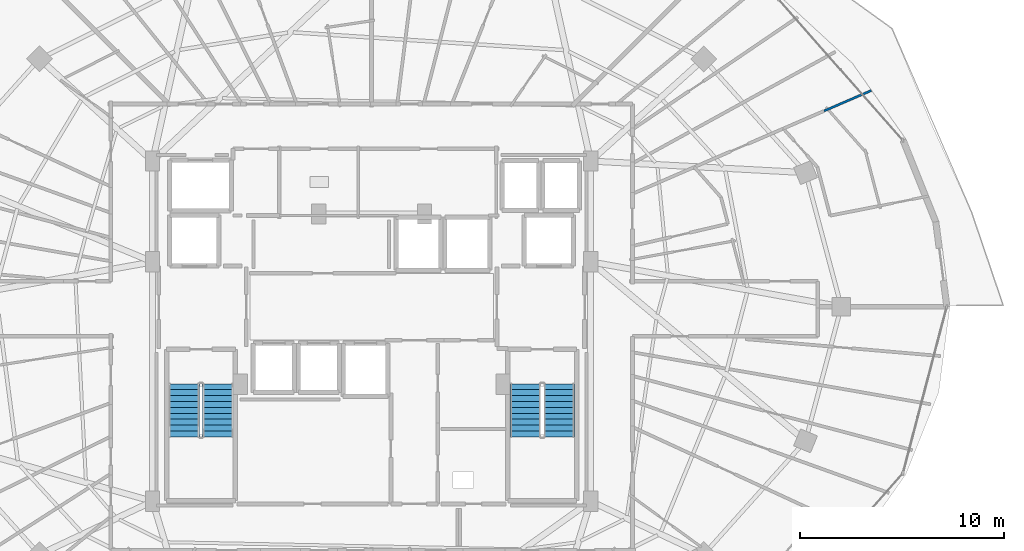
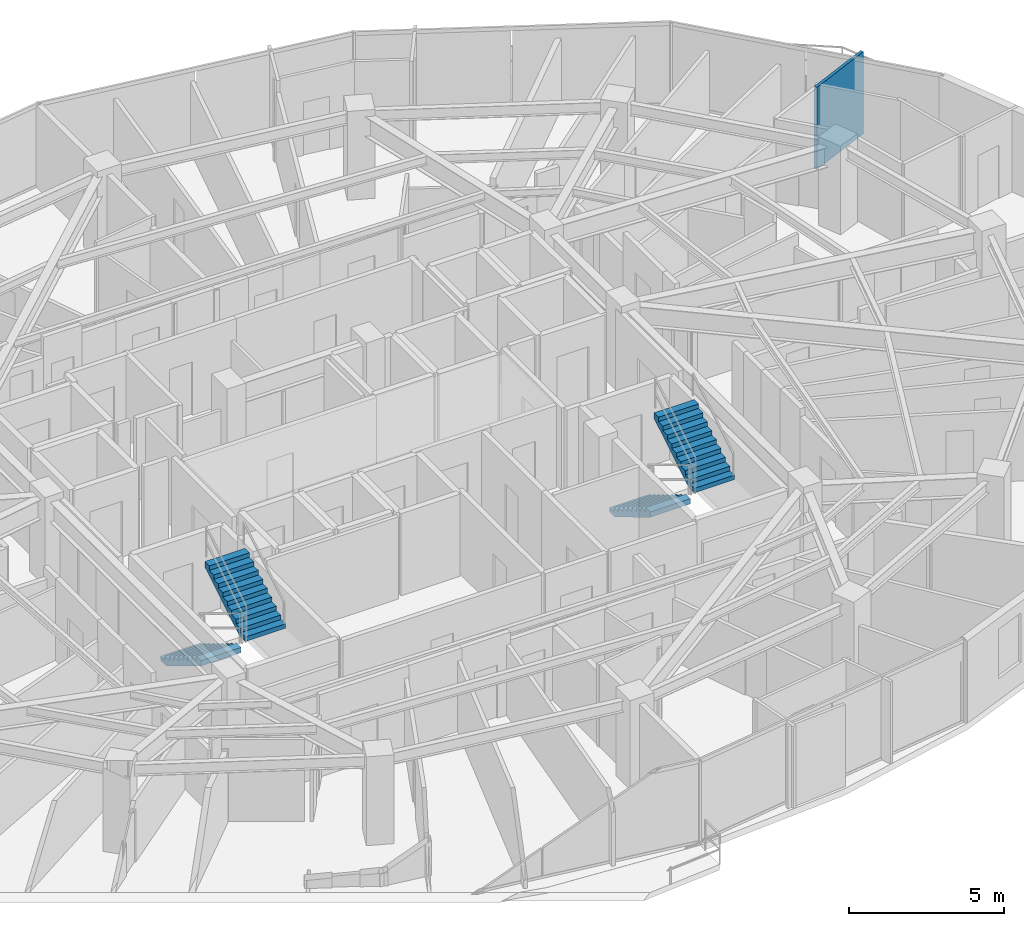
# One storey, part 30 of 33: 4 stair flights, 1 wall, 2 elements without a shape of their own.
"""IFC4 building model written with IfcOpenShell, lengths in metres."""

from ifc_helpers import new_model, si_unit, direction, frame, frame_2d, origin, place, context, subcontext, project, spatial, polyline, rectangle, outline, extrude, material, layer, layer_set, type_object, element, aggregate, save


model = new_model("IFC4")

# Units and contexts
model_context = context("Model", 3, precision=1e-05, world=origin(), true_north=direction((0.0, 1.0)))
body_context = subcontext(model_context, "Body", "Model", "MODEL_VIEW")
ifc_project = project(units=[si_unit("LENGTHUNIT", "METRE"), si_unit("AREAUNIT", "SQUARE_METRE"), si_unit("VOLUMEUNIT", "CUBIC_METRE"), si_unit("PLANEANGLEUNIT", "RADIAN"), si_unit("MASSUNIT", "GRAM", prefix="KILO")], contexts=[model_context])

# Site, building, storey
site_placement = place(None, origin())
site = spatial("IfcSite", under=ifc_project, at=site_placement, CompositionType="ELEMENT")
building_placement = place(site_placement, origin())
building = spatial("IfcBuilding", under=site, at=building_placement, Name="Vorneva Point Tower", CompositionType="ELEMENT")
storey_placement = place(building_placement, frame((0.0, 0.0, 179.10009765625)))
storey = spatial("IfcBuildingStorey", under=building, at=storey_placement, Name="L48", CompositionType="ELEMENT", Elevation=179.10009765625)

# Wall
ifc_material_1 = material(Name="Fire-rated acoustic gypsum stud partition", Category="gypsum")
ifc_layer = layer(ifc_material_1, 0.110107421875)
ifc_layer_set = layer_set([ifc_layer], Name="Fire-rated acoustic gypsum stud partition")
wall_type = type_object("IfcWallType", Name="WL-PART-110", PredefinedType="PARTITIONING", material=ifc_layer_set)
wall_placement = place(storey_placement, frame((60.20751953125, 35.609375, 0.0), z_axis=(0.0, 0.0, 1.0), x_axis=(0.917692098887, 0.397292350341, 0.0)))
element("IfcWall", 1, at=wall_placement, inside=storey, type_object=wall_type, Name="L48 Interior Partition 095", PredefinedType="PARTITIONING", context=body_context, shape_type="SweptSolid", body=[
    extrude(rectangle(XDim=2.5224609375, YDim=0.110107421875, at=frame_2d((1.26123046875, 0.0))), origin(), (0.0, 0.0, 1.0), 3.239990234375),
])

# Stair, stair flights
ifc_material_2 = material(Name="Concrete B50 (C40/50)", Category="concrete")
stair_type = type_object("IfcStairType", Name="ST-DOG-1500", PredefinedType="HALF_TURN_STAIR", material=ifc_material_2)
stair_1_placement = place(storey_placement, origin())
stair_1 = element("IfcStair", 2, at=stair_1_placement, inside=storey, type_object=stair_type, Name="L48 ST1", PredefinedType="HALF_TURN_STAIR")
stair_flight_type = type_object("IfcStairFlightType", Name="STF-1500", PredefinedType="STRAIGHT", material=ifc_material_2)
stair_flight_1_placement = place(storey_placement, frame((28.800048828125, 22.219970703125, 0.0), z_axis=(0.0, 0.0, 1.0), x_axis=(0.0, -1.0, 0.0)))
stair_flight_1 = element("IfcStairFlight", 3, at=stair_flight_1_placement, type_object=stair_flight_type, Name="ST1 flight 1", NumberOfRisers=10, NumberOfTreads=9, PredefinedType="STRAIGHT", RiserHeight=0.175, TreadLength=0.29, context=body_context, shape_type="SweptSolid", body=[
    extrude(outline(polyline([(0.0, 0.0), (0.0, 0.175048828125), (0.2900390625, 0.175048828125), (0.2900390625, 0.35009765625), (0.580078125, 0.35009765625), (0.580078125, 0.52490234375), (0.8701171875, 0.52490234375), (0.8701171875, 0.699951171875), (1.159912109375, 0.699951171875), (1.159912109375, 0.875), (1.449951171875, 0.875), (1.449951171875, 1.050048828125), (1.739990234375, 1.050048828125), (1.739990234375, 1.22509765625), (2.030029296875, 1.22509765625), (2.030029296875, 1.39990234375), (2.320068359375, 1.39990234375), (2.320068359375, 1.574951171875), (2.610107421875, 1.574951171875), (2.610107421875, 1.75), (2.610107421875, 1.36474609375), (0.34814453125, 0.0), (0.0, 0.0)])), frame((0.0, 0.75, 0.0), z_axis=(0.0, -1.0, 0.0), x_axis=(1.0, 0.0, 0.0)), (0.0, 0.0, 1.0), 1.5),
])
stair_flight_2_placement = place(storey_placement, frame((30.449951171875, 19.610107421875, 1.75), z_axis=(0.0, 0.0, 1.0), x_axis=(0.0, 1.0, 0.0)))
stair_flight_2 = element("IfcStairFlight", 4, at=stair_flight_2_placement, type_object=stair_flight_type, Name="ST1 flight 2", NumberOfRisers=10, NumberOfTreads=9, PredefinedType="STRAIGHT", RiserHeight=0.175, TreadLength=0.29, context=body_context, shape_type="SweptSolid", body=[
    extrude(outline(polyline([(0.0, 0.0), (0.0, 0.175048828125), (0.2900390625, 0.175048828125), (0.2900390625, 0.35009765625), (0.580078125, 0.35009765625), (0.580078125, 0.52490234375), (0.8701171875, 0.52490234375), (0.8701171875, 0.699951171875), (1.159912109375, 0.699951171875), (1.159912109375, 0.875), (1.449951171875, 0.875), (1.449951171875, 1.050048828125), (1.739990234375, 1.050048828125), (1.739990234375, 1.22509765625), (2.030029296875, 1.22509765625), (2.030029296875, 1.39990234375), (2.320068359375, 1.39990234375), (2.320068359375, 1.574951171875), (2.610107421875, 1.574951171875), (2.610107421875, 1.75), (2.610107421875, 1.36474609375), (0.34814453125, 0.0), (0.0, 0.0)])), frame((0.0, 0.75, 0.0), z_axis=(0.0, -1.0, 0.0), x_axis=(1.0, 0.0, 0.0)), (0.0, 0.0, 1.0), 1.5),
])
aggregate(stair_1, [stair_flight_1, stair_flight_2])

stair_2_placement = place(storey_placement, origin())
stair_2 = element("IfcStair", 5, at=stair_2_placement, inside=storey, type_object=stair_type, Name="L48 ST2", PredefinedType="HALF_TURN_STAIR")
stair_flight_3_placement = place(storey_placement, frame((45.550048828125, 22.219970703125, 0.0), z_axis=(0.0, 0.0, 1.0), x_axis=(0.0, -1.0, 0.0)))
stair_flight_3 = element("IfcStairFlight", 6, at=stair_flight_3_placement, type_object=stair_flight_type, Name="ST2 flight 1", NumberOfRisers=10, NumberOfTreads=9, PredefinedType="STRAIGHT", RiserHeight=0.175, TreadLength=0.29, context=body_context, shape_type="SweptSolid", body=[
    extrude(outline(polyline([(0.0, 0.0), (0.0, 0.175048828125), (0.2900390625, 0.175048828125), (0.2900390625, 0.35009765625), (0.580078125, 0.35009765625), (0.580078125, 0.52490234375), (0.8701171875, 0.52490234375), (0.8701171875, 0.699951171875), (1.159912109375, 0.699951171875), (1.159912109375, 0.875), (1.449951171875, 0.875), (1.449951171875, 1.050048828125), (1.739990234375, 1.050048828125), (1.739990234375, 1.22509765625), (2.030029296875, 1.22509765625), (2.030029296875, 1.39990234375), (2.320068359375, 1.39990234375), (2.320068359375, 1.574951171875), (2.610107421875, 1.574951171875), (2.610107421875, 1.75), (2.610107421875, 1.36474609375), (0.34814453125, 0.0), (0.0, 0.0)])), frame((0.0, 0.75, 0.0), z_axis=(0.0, -1.0, 0.0), x_axis=(1.0, 0.0, 0.0)), (0.0, 0.0, 1.0), 1.5),
])
stair_flight_4_placement = place(storey_placement, frame((47.199951171875, 19.610107421875, 1.75), z_axis=(0.0, 0.0, 1.0), x_axis=(0.0, 1.0, 0.0)))
stair_flight_4 = element("IfcStairFlight", 7, at=stair_flight_4_placement, type_object=stair_flight_type, Name="ST2 flight 2", NumberOfRisers=10, NumberOfTreads=9, PredefinedType="STRAIGHT", RiserHeight=0.175, TreadLength=0.29, context=body_context, shape_type="SweptSolid", body=[
    extrude(outline(polyline([(0.0, 0.0), (0.0, 0.175048828125), (0.2900390625, 0.175048828125), (0.2900390625, 0.35009765625), (0.580078125, 0.35009765625), (0.580078125, 0.52490234375), (0.8701171875, 0.52490234375), (0.8701171875, 0.699951171875), (1.159912109375, 0.699951171875), (1.159912109375, 0.875), (1.449951171875, 0.875), (1.449951171875, 1.050048828125), (1.739990234375, 1.050048828125), (1.739990234375, 1.22509765625), (2.030029296875, 1.22509765625), (2.030029296875, 1.39990234375), (2.320068359375, 1.39990234375), (2.320068359375, 1.574951171875), (2.610107421875, 1.574951171875), (2.610107421875, 1.75), (2.610107421875, 1.36474609375), (0.34814453125, 0.0), (0.0, 0.0)])), frame((0.0, 0.75, 0.0), z_axis=(0.0, -1.0, 0.0), x_axis=(1.0, 0.0, 0.0)), (0.0, 0.0, 1.0), 1.5),
])
aggregate(stair_2, [stair_flight_3, stair_flight_4])

save(model, "model.ifc")
